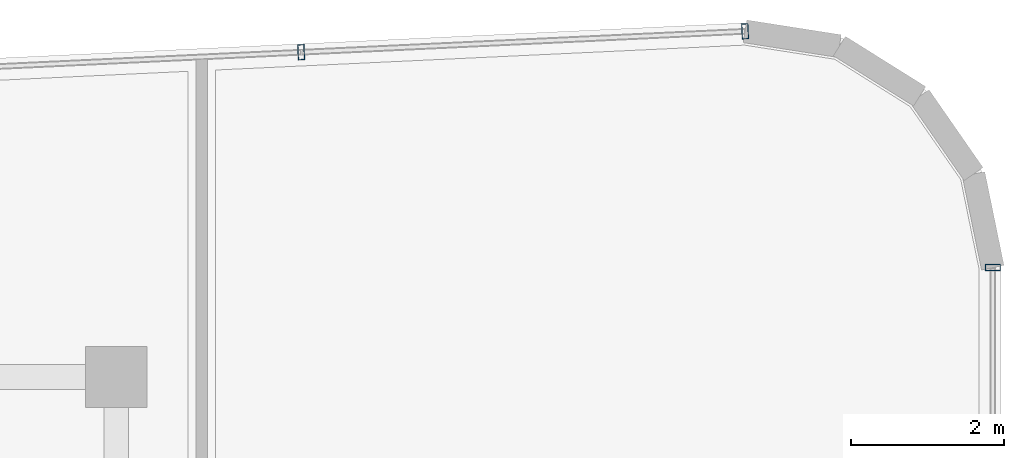
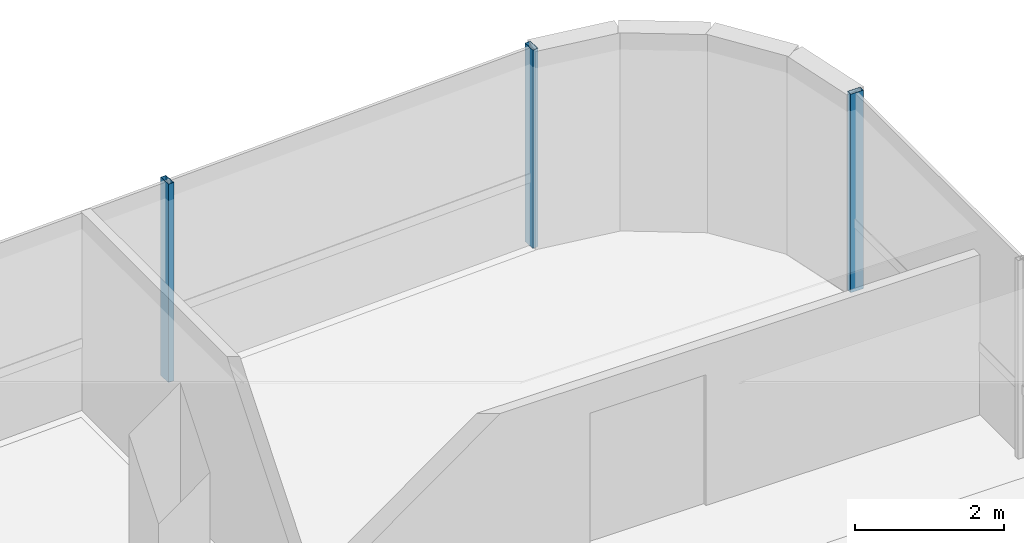
# One storey, part 12 of 18: 3 members, 2 elements without a shape of their own.
"""IFC4 building model written with IfcOpenShell, lengths in metres."""

from ifc_helpers import new_model, si_unit, direction, frame, origin, origin_2d, place, context, subcontext, project, spatial, hollow_rectangle, extrude, source, transform, mapped, material, material_profile, profile_set, type_object, element, aggregate, save


model = new_model("IFC4")

# Units and contexts
model_context = context("Model", 3, precision=1e-05, world=origin(), true_north=direction((0.0, 1.0)))
body_context = subcontext(model_context, "Body", "Model", "MODEL_VIEW")
ifc_project = project(units=[si_unit("LENGTHUNIT", "METRE"), si_unit("AREAUNIT", "SQUARE_METRE"), si_unit("VOLUMEUNIT", "CUBIC_METRE"), si_unit("PLANEANGLEUNIT", "RADIAN"), si_unit("MASSUNIT", "GRAM", prefix="KILO")], contexts=[model_context])

# Site, building, storey
site_placement = place(None, origin())
site = spatial("IfcSite", under=ifc_project, at=site_placement, CompositionType="ELEMENT")
building_placement = place(site_placement, origin())
building = spatial("IfcBuilding", under=site, at=building_placement, Name="Valdorenza Pilgrim Sanctuary Tower", CompositionType="ELEMENT")
storey_placement = place(building_placement, frame((0.0, 0.0, 273.0)))
storey = spatial("IfcBuildingStorey", under=building, at=storey_placement, Name="L71", CompositionType="ELEMENT", Elevation=273.0)

# Curtain wall, members
ifc_material_1 = material(Name="Curtain-wall IGU glazing", Category="glass")
curtain_wall_type = type_object("IfcCurtainWallType", Name="CW-SYS-02", PredefinedType="NOTDEFINED", material=ifc_material_1)
curtain_wall_1_placement = place(storey_placement, origin())
curtain_wall_1 = element("IfcCurtainWall", 1, at=curtain_wall_1_placement, inside=storey, type_object=curtain_wall_type, Name="L71 Curtain Wall CW-L71-1-6", PredefinedType="NOTDEFINED")
ifc_material_2 = material(Name="Anodised aluminium AW-6060", Category="aluminium")
ifc_material_profile = material_profile(ifc_material_2, hollow_rectangle(XDim=0.0849609375, YDim=0.199951171875, WallThickness=0.0048828125, at=origin_2d()), Name="ALU-M 200x85x5")
ifc_profile_set = profile_set([ifc_material_profile], Name="Anodised aluminium AW-6060")
member_type = type_object("IfcMemberType", Name="CW-MUL-02", PredefinedType="MULLION", material=ifc_profile_set)
shared_shape = source(origin(), body_context, "Body", "SweptSolid", [
    extrude(hollow_rectangle(XDim=0.0849609375, YDim=0.199951171875, WallThickness=0.0048828125, at=origin_2d()), origin(), (0.0, 0.0, 1.0), 3.260009765625),
])
member_1_placement = place(storey_placement, frame((-9.976318359375, 19.057373046875, 0.0), z_axis=(0.0, 0.0, 1.0), x_axis=(0.998890696972, 0.047089016785, 0.0)))
member_1 = element("IfcMember", 2, at=member_1_placement, type_object=member_type, Name="CW-L71-1-6 Mullion 4", PredefinedType="MULLION", context=body_context, shape_type="MappedRepresentation", body=[
    mapped(shared_shape, transform((0.0, 0.0, 0.0), x_axis=(1.0, 0.0, 0.0), y_axis=(0.0, 1.0, 0.0), z_axis=(0.0, 0.0, 1.0), scale=1.0)),
])
member_2_placement = place(storey_placement, frame((-4.15673828125, 19.331787109375, 0.0), z_axis=(0.0, 0.0, 1.0), x_axis=(0.998890696972, 0.047089016785, 0.0)))
member_2 = element("IfcMember", 3, at=member_2_placement, type_object=member_type, Name="CW-L71-1-6 Mullion 5", PredefinedType="MULLION", context=body_context, shape_type="MappedRepresentation", body=[
    mapped(shared_shape, transform((0.0, 0.0, 0.0), x_axis=(1.0, 0.0, 0.0), y_axis=(0.0, 1.0, 0.0), z_axis=(0.0, 0.0, 1.0), scale=1.0)),
])
aggregate(curtain_wall_1, [member_1, member_2])

# Curtain wall, member
curtain_wall_2_placement = place(storey_placement, origin())
curtain_wall_2 = element("IfcCurtainWall", 4, at=curtain_wall_2_placement, inside=storey, type_object=curtain_wall_type, Name="L71 Curtain Wall CW-L71-1-11", PredefinedType="NOTDEFINED")
member_3_placement = place(storey_placement, frame((-0.909912109375, 16.234375, 0.0), z_axis=(0.0, 0.0, 1.0), x_axis=(0.0, -1.0, 0.0)))
member_3 = element("IfcMember", 5, at=member_3_placement, type_object=member_type, Name="CW-L71-1-11 Mullion 1", PredefinedType="MULLION", context=body_context, shape_type="MappedRepresentation", body=[
    mapped(shared_shape, transform((0.0, 0.0, 0.0), x_axis=(1.0, 0.0, 0.0), y_axis=(0.0, 1.0, 0.0), z_axis=(0.0, 0.0, 1.0), scale=1.0)),
])
aggregate(curtain_wall_2, [member_3])

save(model, "model.ifc")
